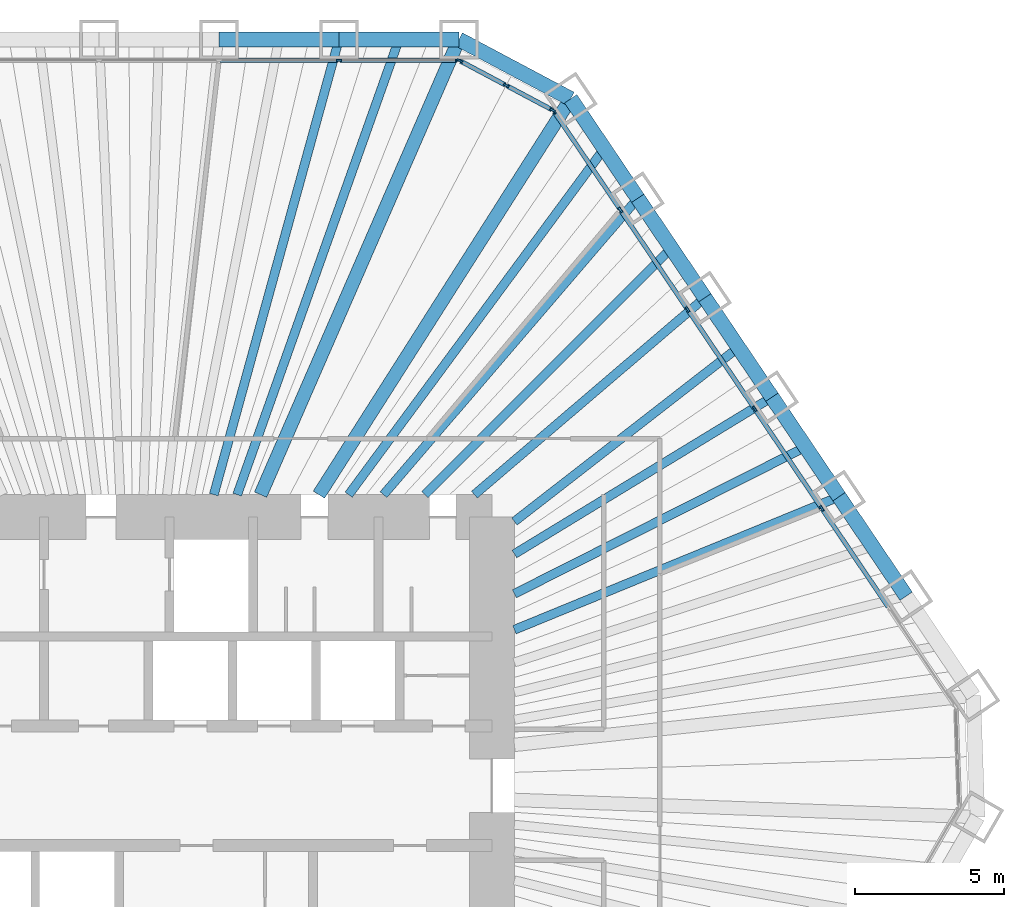
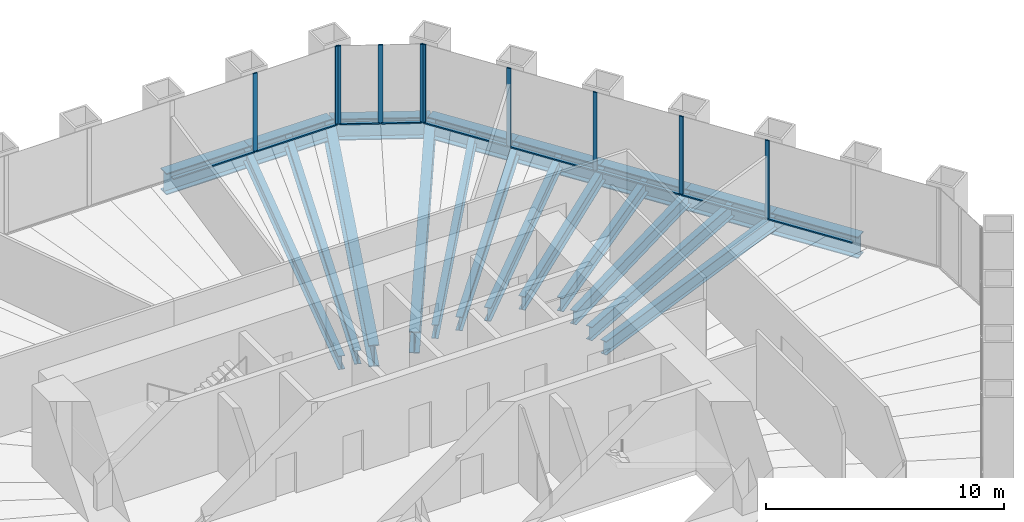
# One storey, part 7 of 13: 20 beams, 19 members, 3 elements without a shape of their own.
"""IFC4 building model written with IfcOpenShell, lengths in metres."""

from ifc_helpers import new_model, si_unit, direction, frame, origin, origin_2d, place, context, subcontext, project, spatial, rectangle, i_section, extrude, material, material_profile, profile_set, type_object, element, aggregate, save


model = new_model("IFC4")

# Units and contexts
model_context = context("Model", 3, precision=1e-05, world=origin(), true_north=direction((0.0, 1.0)))
body_context = subcontext(model_context, "Body", "Model", "MODEL_VIEW")
ifc_project = project(units=[si_unit("LENGTHUNIT", "METRE"), si_unit("AREAUNIT", "SQUARE_METRE"), si_unit("VOLUMEUNIT", "CUBIC_METRE"), si_unit("PLANEANGLEUNIT", "RADIAN"), si_unit("MASSUNIT", "GRAM", prefix="KILO")], contexts=[model_context])

# Site, building, storey
site_placement = place(None, origin())
site = spatial("IfcSite", under=ifc_project, at=site_placement, CompositionType="ELEMENT")
building_placement = place(site_placement, origin())
building = spatial("IfcBuilding", under=site, at=building_placement, Name="Qingtian Harvest Tower", CompositionType="ELEMENT")
storey_placement = place(building_placement, frame((0.0, 0.0, 161.800048828125)))
storey = spatial("IfcBuildingStorey", under=building, at=storey_placement, Name="L34", CompositionType="ELEMENT", Elevation=161.800048828125)

# Beams
ifc_material_1 = material(Name="Steel SM570MC", Category="steel")
ifc_material_profile_1 = material_profile(ifc_material_1, i_section(OverallWidth=0.449951171875, OverallDepth=1.10009765625, WebThickness=0.02197265625, FlangeThickness=0.044921875, at=origin_2d()), Name="H1100x450x22x45")
ifc_profile_set_1 = profile_set([ifc_material_profile_1], Name="Steel SM570MC")
beam_type_1 = type_object("IfcBeamType", Name="Corner floor beam FB8 H1100x450x22x45", PredefinedType="BEAM", material=ifc_profile_set_1)
beam_1_placement = place(storey_placement, frame((10.892822265625, 25.0, -0.719970703125), z_axis=(-0.399451016538, -0.916754539333, 0.0), x_axis=(0.916754539333, -0.399451016538, 0.0)))
element("IfcBeam", 1, at=beam_1_placement, inside=storey, type_object=beam_type_1, Name="Floor beam FB8 N6", PredefinedType="BEAM", context=body_context, shape_type="SweptSolid", body=[
    extrude(i_section(OverallWidth=0.449951171875, OverallDepth=1.10009765625, WebThickness=0.02197265625, FlangeThickness=0.044921875, at=origin_2d()), origin(), (0.0, 0.0, 1.0), 16.634765625),
])
beam_2_placement = place(storey_placement, frame((14.634765625, 23.01025390625, -0.719970703125), z_axis=(-0.536660352939, -0.843798355997, 0.0), x_axis=(0.843798355997, -0.536660352939, 0.0)))
element("IfcBeam", 2, at=beam_2_placement, inside=storey, type_object=beam_type_1, Name="Floor beam FB8 NE0", PredefinedType="BEAM", context=body_context, shape_type="SweptSolid", body=[
    extrude(i_section(OverallWidth=0.449951171875, OverallDepth=1.10009765625, WebThickness=0.02197265625, FlangeThickness=0.044921875, at=origin_2d()), origin(), (0.0, 0.0, 1.0), 15.71484375),
])
ifc_material_2 = material(Name="Steel SN490B", Category="steel")
ifc_material_profile_2 = material_profile(ifc_material_2, i_section(OverallWidth=0.300048828125, OverallDepth=0.699951171875, WebThickness=0.012939453125, FlangeThickness=0.02392578125, at=origin_2d()), Name="H700x300x13x24")
ifc_profile_set_2 = profile_set([ifc_material_profile_2], Name="Steel SN490B")
beam_type_2 = type_object("IfcBeamType", Name="Floor beam FB2 H700x300x13x24", PredefinedType="BEAM", material=ifc_profile_set_2)
beam_3_placement = place(storey_placement, frame((6.873779296875, 25.0, -0.52001953125), z_axis=(-0.265119170108, -0.964215653078, 0.0), x_axis=(0.964215653078, -0.265119170108, 0.0)))
element("IfcBeam", 3, at=beam_3_placement, inside=storey, type_object=beam_type_2, Name="Floor beam FB2 N5", PredefinedType="BEAM", context=body_context, shape_type="SweptSolid", body=[
    extrude(i_section(OverallWidth=0.300048828125, OverallDepth=0.699951171875, WebThickness=0.012939453125, FlangeThickness=0.02392578125, at=origin_2d()), origin(), (0.0, 0.0, 1.0), 15.81591796875),
])
beam_4_placement = place(storey_placement, frame((16.88232421875, 19.67822265625, -0.52001953125), z_axis=(-0.651140196702, -0.758957471957, 0.0), x_axis=(0.758957471957, -0.651140196702, 0.0)))
element("IfcBeam", 4, at=beam_4_placement, inside=storey, type_object=beam_type_2, Name="Floor beam FB2 NE1", PredefinedType="BEAM", context=body_context, shape_type="SweptSolid", body=[
    extrude(i_section(OverallWidth=0.300048828125, OverallDepth=0.699951171875, WebThickness=0.012939453125, FlangeThickness=0.02392578125, at=origin_2d()), origin(), (0.0, 0.0, 1.0), 13.081298828125),
])
beam_5_placement = place(storey_placement, frame((19.129638671875, 16.346435546875, -0.52001953125), z_axis=(-0.760241810635, -0.649640199928, 0.0), x_axis=(0.649640199928, -0.760241810635, 0.0)))
element("IfcBeam", 5, at=beam_5_placement, inside=storey, type_object=beam_type_2, Name="Floor beam FB2 NE2", PredefinedType="BEAM", context=body_context, shape_type="SweptSolid", body=[
    extrude(i_section(OverallWidth=0.300048828125, OverallDepth=0.699951171875, WebThickness=0.012939453125, FlangeThickness=0.02392578125, at=origin_2d()), origin(), (0.0, 0.0, 1.0), 10.154052734375),
])
beam_6_placement = place(storey_placement, frame((21.377197265625, 13.014404296875, -0.52001953125), z_axis=(-0.854160745245, -0.520009058846, 0.0), x_axis=(0.520009058846, -0.854160745245, 0.0)))
element("IfcBeam", 6, at=beam_6_placement, inside=storey, type_object=beam_type_2, Name="Floor beam FB2 NE3", PredefinedType="BEAM", context=body_context, shape_type="SweptSolid", body=[
    extrude(i_section(OverallWidth=0.300048828125, OverallDepth=0.699951171875, WebThickness=0.012939453125, FlangeThickness=0.02392578125, at=origin_2d()), origin(), (0.0, 0.0, 1.0), 10.10009765625),
])
beam_7_placement = place(storey_placement, frame((23.62451171875, 9.682373046875, -0.52001953125), z_axis=(-0.925304541163, -0.379224875375, 0.0), x_axis=(0.379224875375, -0.925304541163, 0.0)))
element("IfcBeam", 7, at=beam_7_placement, inside=storey, type_object=beam_type_2, Name="Floor beam FB2 NE4", PredefinedType="BEAM", context=body_context, shape_type="SweptSolid", body=[
    extrude(i_section(OverallWidth=0.300048828125, OverallDepth=0.699951171875, WebThickness=0.012939453125, FlangeThickness=0.02392578125, at=origin_2d()), origin(), (0.0, 0.0, 1.0), 11.75244140625),
])
ifc_material_3 = material(Name="Steel SN490B", Category="steel")
ifc_material_profile_3 = material_profile(ifc_material_3, i_section(OverallWidth=0.300048828125, OverallDepth=0.699951171875, WebThickness=0.012939453125, FlangeThickness=0.02392578125, at=origin_2d()), Name="H700x300x13x24")
ifc_profile_set_3 = profile_set([ifc_material_profile_3], Name="Steel SN490B")
beam_type_3 = type_object("IfcBeamType", Name="Floor joist J2 H700x300x13x24", PredefinedType="JOIST", material=ifc_profile_set_3)
beam_8_placement = place(storey_placement, frame((8.88330078125, 25.0, -0.52001953125), z_axis=(-0.334829909573, -0.94227858495, 0.0), x_axis=(0.94227858495, -0.334829909573, 0.0)))
element("IfcBeam", 8, at=beam_8_placement, inside=storey, type_object=beam_type_3, Name="Floor joist J2 N5", PredefinedType="JOIST", context=body_context, shape_type="SweptSolid", body=[
    extrude(i_section(OverallWidth=0.300048828125, OverallDepth=0.699951171875, WebThickness=0.012939453125, FlangeThickness=0.02392578125, at=origin_2d()), origin(), (0.0, 0.0, 1.0), 16.18408203125),
])
beam_9_placement = place(storey_placement, frame((15.758544921875, 21.34423828125, -0.52001953125), z_axis=(-0.593960386058, -0.804494288229, 0.0), x_axis=(0.804494288229, -0.593960386058, 0.0)))
element("IfcBeam", 9, at=beam_9_placement, inside=storey, type_object=beam_type_3, Name="Floor joist J2 NE0", PredefinedType="JOIST", context=body_context, shape_type="SweptSolid", body=[
    extrude(i_section(OverallWidth=0.300048828125, OverallDepth=0.699951171875, WebThickness=0.012939453125, FlangeThickness=0.02392578125, at=origin_2d()), origin(), (0.0, 0.0, 1.0), 14.411865234375),
])
beam_10_placement = place(storey_placement, frame((18.005859375, 18.012451171875, -0.52001953125), z_axis=(-0.706970932755, -0.707242603524, 0.0), x_axis=(0.707242603524, -0.706970932755, 0.0)))
element("IfcBeam", 10, at=beam_10_placement, inside=storey, type_object=beam_type_3, Name="Floor joist J2 NE1", PredefinedType="JOIST", context=body_context, shape_type="SweptSolid", body=[
    extrude(i_section(OverallWidth=0.300048828125, OverallDepth=0.699951171875, WebThickness=0.012939453125, FlangeThickness=0.02392578125, at=origin_2d()), origin(), (0.0, 0.0, 1.0), 11.6826171875),
])
beam_11_placement = place(storey_placement, frame((20.25341796875, 14.680419921875, -0.52001953125), z_axis=(-0.789641272199, -0.61356879096, 0.0), x_axis=(0.61356879096, -0.789641272199, 0.0)))
element("IfcBeam", 11, at=beam_11_placement, inside=storey, type_object=beam_type_3, Name="Floor joist J2 NE2", PredefinedType="JOIST", context=body_context, shape_type="SweptSolid", body=[
    extrude(i_section(OverallWidth=0.300048828125, OverallDepth=0.699951171875, WebThickness=0.012939453125, FlangeThickness=0.02392578125, at=origin_2d()), origin(), (0.0, 0.0, 1.0), 9.502197265625),
])
beam_12_placement = place(storey_placement, frame((22.500732421875, 11.348388671875, -0.52001953125), z_axis=(-0.892861323685, -0.450331718478, 0.0), x_axis=(0.450331718478, -0.892861323685, 0.0)))
element("IfcBeam", 12, at=beam_12_placement, inside=storey, type_object=beam_type_3, Name="Floor joist J2 NE3", PredefinedType="JOIST", context=body_context, shape_type="SweptSolid", body=[
    extrude(i_section(OverallWidth=0.300048828125, OverallDepth=0.699951171875, WebThickness=0.012939453125, FlangeThickness=0.02392578125, at=origin_2d()), origin(), (0.0, 0.0, 1.0), 10.920654296875),
])

# Curtain wall, members
ifc_material_4 = material(Name="Bronze-anodised aluminium curtain wall", Category="aluminium")
curtain_wall_type = type_object("IfcCurtainWallType", Name="Curtain wall CW4 office", PredefinedType="USERDEFINED", material=ifc_material_4)
curtain_wall_1_placement = place(storey_placement, origin())
curtain_wall_1 = element("IfcCurtainWall", 13, at=curtain_wall_1_placement, inside=storey, type_object=curtain_wall_type, Name="Curtain wall CW4 L34 N0-5", ObjectType="RECESSED CURTAIN WALL", PredefinedType="USERDEFINED")
ifc_material_5 = material(Name="Bronze-anodised aluminium mullion", Category="aluminium")
ifc_material_profile_4 = material_profile(ifc_material_5, rectangle(XDim=0.06494140625, YDim=0.199951171875, at=origin_2d()), Name="AL 65x200")
ifc_profile_set_4 = profile_set([ifc_material_profile_4], Name="Bronze-anodised aluminium mullion")
member_type_1 = type_object("IfcMemberType", Name="Mullion CWM 65x200", PredefinedType="MULLION", material=ifc_profile_set_4)
member_1_placement = place(storey_placement, frame((6.873779296875, 24.300048828125, 0.0), z_axis=(0.0, 0.0, 1.0), x_axis=(0.0, 1.0, 0.0)))
member_1 = element("IfcMember", 14, at=member_1_placement, type_object=member_type_1, Name="CW4 mullion 6", PredefinedType="MULLION", context=body_context, shape_type="SweptSolid", body=[
    extrude(rectangle(XDim=0.06494140625, YDim=0.199951171875, at=origin_2d()), origin(), (0.0, 0.0, 1.0), 4.030029296875),
])
member_2_placement = place(storey_placement, frame((10.8603515625, 24.300048828125, 0.0), z_axis=(0.0, 0.0, 1.0), x_axis=(0.0, 1.0, 0.0)))
member_2 = element("IfcMember", 15, at=member_2_placement, type_object=member_type_1, Name="CW4 mullion 7", PredefinedType="MULLION", context=body_context, shape_type="SweptSolid", body=[
    extrude(rectangle(XDim=0.06494140625, YDim=0.199951171875, at=origin_2d()), origin(), (0.0, 0.0, 1.0), 4.030029296875),
])

curtain_wall_2_placement = place(storey_placement, origin())
curtain_wall_2 = element("IfcCurtainWall", 16, at=curtain_wall_2_placement, inside=storey, type_object=curtain_wall_type, Name="Curtain wall CW4 L34 NC", ObjectType="RECESSED CURTAIN WALL", PredefinedType="USERDEFINED")
member_3_placement = place(storey_placement, frame((10.92138671875, 24.28466796875, 0.0), z_axis=(0.0, 0.0, 1.0), x_axis=(0.469471562786, 0.882947592859, 0.0)))
member_3 = element("IfcMember", 17, at=member_3_placement, type_object=member_type_1, Name="CW4 mullion 1", PredefinedType="MULLION", context=body_context, shape_type="SweptSolid", body=[
    extrude(rectangle(XDim=0.06494140625, YDim=0.199951171875, at=origin_2d()), origin(), (0.0, 0.0, 1.0), 4.030029296875),
])
member_4_placement = place(storey_placement, frame((12.4736328125, 23.45947265625, 0.0), z_axis=(0.0, 0.0, 1.0), x_axis=(0.469471562786, 0.882947592859, 0.0)))
member_4 = element("IfcMember", 18, at=member_4_placement, type_object=member_type_1, Name="CW4 mullion 2", PredefinedType="MULLION", context=body_context, shape_type="SweptSolid", body=[
    extrude(rectangle(XDim=0.06494140625, YDim=0.199951171875, at=origin_2d()), origin(), (0.0, 0.0, 1.0), 4.030029296875),
])
member_5_placement = place(storey_placement, frame((14.02587890625, 22.634033203125, 0.0), z_axis=(0.0, 0.0, 1.0), x_axis=(0.469471562786, 0.882947592859, 0.0)))
member_5 = element("IfcMember", 19, at=member_5_placement, type_object=member_type_1, Name="CW4 mullion 3", PredefinedType="MULLION", context=body_context, shape_type="SweptSolid", body=[
    extrude(rectangle(XDim=0.06494140625, YDim=0.199951171875, at=origin_2d()), origin(), (0.0, 0.0, 1.0), 4.030029296875),
])

curtain_wall_3_placement = place(storey_placement, origin())
curtain_wall_3 = element("IfcCurtainWall", 20, at=curtain_wall_3_placement, inside=storey, type_object=curtain_wall_type, Name="Curtain wall CW4 L34 NE0-5", ObjectType="RECESSED CURTAIN WALL", PredefinedType="USERDEFINED")
member_6_placement = place(storey_placement, frame((14.07275390625, 22.592041015625, 0.0), z_axis=(0.0, 0.0, 1.0), x_axis=(0.829037572555, 0.559192903471, 0.0)))
member_6 = element("IfcMember", 21, at=member_6_placement, type_object=member_type_1, Name="CW4 mullion 1", PredefinedType="MULLION", context=body_context, shape_type="SweptSolid", body=[
    extrude(rectangle(XDim=0.06494140625, YDim=0.199951171875, at=origin_2d()), origin(), (0.0, 0.0, 1.0), 4.030029296875),
])
member_7_placement = place(storey_placement, frame((16.302001953125, 19.286865234375, 0.0), z_axis=(0.0, 0.0, 1.0), x_axis=(0.829037572555, 0.559192903471, 0.0)))
member_7 = element("IfcMember", 22, at=member_7_placement, type_object=member_type_1, Name="CW4 mullion 2", PredefinedType="MULLION", context=body_context, shape_type="SweptSolid", body=[
    extrude(rectangle(XDim=0.06494140625, YDim=0.199951171875, at=origin_2d()), origin(), (0.0, 0.0, 1.0), 4.030029296875),
])
member_8_placement = place(storey_placement, frame((18.54931640625, 15.954833984375, 0.0), z_axis=(0.0, 0.0, 1.0), x_axis=(0.829037572555, 0.559192903471, 0.0)))
member_8 = element("IfcMember", 23, at=member_8_placement, type_object=member_type_1, Name="CW4 mullion 3", PredefinedType="MULLION", context=body_context, shape_type="SweptSolid", body=[
    extrude(rectangle(XDim=0.06494140625, YDim=0.199951171875, at=origin_2d()), origin(), (0.0, 0.0, 1.0), 4.030029296875),
])
member_9_placement = place(storey_placement, frame((20.796875, 12.623046875, 0.0), z_axis=(0.0, 0.0, 1.0), x_axis=(0.829037572555, 0.559192903471, 0.0)))
member_9 = element("IfcMember", 24, at=member_9_placement, type_object=member_type_1, Name="CW4 mullion 4", PredefinedType="MULLION", context=body_context, shape_type="SweptSolid", body=[
    extrude(rectangle(XDim=0.06494140625, YDim=0.199951171875, at=origin_2d()), origin(), (0.0, 0.0, 1.0), 4.030029296875),
])
member_10_placement = place(storey_placement, frame((23.044189453125, 9.291015625, 0.0), z_axis=(0.0, 0.0, 1.0), x_axis=(0.829037572555, 0.559192903471, 0.0)))
member_10 = element("IfcMember", 25, at=member_10_placement, type_object=member_type_1, Name="CW4 mullion 5", PredefinedType="MULLION", context=body_context, shape_type="SweptSolid", body=[
    extrude(rectangle(XDim=0.06494140625, YDim=0.199951171875, at=origin_2d()), origin(), (0.0, 0.0, 1.0), 4.030029296875),
])

# Beams
ifc_material_6 = material(Name="Steel SM570MC", Category="steel")
ifc_material_profile_5 = material_profile(ifc_material_6, i_section(OverallWidth=0.5, OverallDepth=1.10009765625, WebThickness=0.02490234375, FlangeThickness=0.050048828125, at=origin_2d()), Name="H1100x500x25x50")
ifc_profile_set_5 = profile_set([ifc_material_profile_5], Name="Steel SM570MC")
beam_type_4 = type_object("IfcBeamType", Name="Spandrel beam SB2 H1100x500x25x50", PredefinedType="SPANDREL", material=ifc_profile_set_5)
beam_13_placement = place(storey_placement, frame((2.8544921875, 25.0, -0.550048828125), z_axis=(1.0, 0.0, 0.0), x_axis=(0.0, 1.0, 0.0)))
element("IfcBeam", 26, at=beam_13_placement, inside=storey, type_object=beam_type_4, Name="Spandrel SB2 N4", PredefinedType="SPANDREL", context=body_context, shape_type="SweptSolid", body=[
    extrude(i_section(OverallWidth=0.5, OverallDepth=1.10009765625, WebThickness=0.02490234375, FlangeThickness=0.050048828125, at=origin_2d()), origin(), (0.0, 0.0, 1.0), 4.019287109375),
])
beam_14_placement = place(storey_placement, frame((6.873779296875, 25.0, -0.550048828125), z_axis=(1.0, 0.0, 0.0), x_axis=(0.0, 1.0, 0.0)))
element("IfcBeam", 27, at=beam_14_placement, inside=storey, type_object=beam_type_4, Name="Spandrel SB2 N5", PredefinedType="SPANDREL", context=body_context, shape_type="SweptSolid", body=[
    extrude(i_section(OverallWidth=0.5, OverallDepth=1.10009765625, WebThickness=0.02490234375, FlangeThickness=0.050048828125, at=origin_2d()), origin(), (0.0, 0.0, 1.0), 4.01904296875),
])
beam_15_placement = place(storey_placement, frame((10.892822265625, 25.0, -0.550048828125), z_axis=(0.882935902835, -0.469493547863, 0.0), x_axis=(0.469493547863, 0.882935902835, 0.0)))
element("IfcBeam", 28, at=beam_15_placement, inside=storey, type_object=beam_type_4, Name="Spandrel SB2 NC", PredefinedType="SPANDREL", context=body_context, shape_type="SweptSolid", body=[
    extrude(i_section(OverallWidth=0.5, OverallDepth=1.10009765625, WebThickness=0.02490234375, FlangeThickness=0.050048828125, at=origin_2d()), origin(), (0.0, 0.0, 1.0), 4.238037109375),
])
beam_16_placement = place(storey_placement, frame((14.634765625, 23.01025390625, -0.550048828125), z_axis=(0.559205752254, -0.829028905796, 0.0), x_axis=(0.829028905796, 0.559205752254, 0.0)))
element("IfcBeam", 29, at=beam_16_placement, inside=storey, type_object=beam_type_4, Name="Spandrel SB2 NE0", PredefinedType="SPANDREL", context=body_context, shape_type="SweptSolid", body=[
    extrude(i_section(OverallWidth=0.5, OverallDepth=1.10009765625, WebThickness=0.02490234375, FlangeThickness=0.050048828125, at=origin_2d()), origin(), (0.0, 0.0, 1.0), 4.019287109375),
])
beam_17_placement = place(storey_placement, frame((16.88232421875, 19.67822265625, -0.550048828125), z_axis=(0.55919216322, -0.82903807186, 0.0), x_axis=(0.82903807186, 0.55919216322, 0.0)))
element("IfcBeam", 30, at=beam_17_placement, inside=storey, type_object=beam_type_4, Name="Spandrel SB2 NE1", PredefinedType="SPANDREL", context=body_context, shape_type="SweptSolid", body=[
    extrude(i_section(OverallWidth=0.5, OverallDepth=1.10009765625, WebThickness=0.02490234375, FlangeThickness=0.050048828125, at=origin_2d()), origin(), (0.0, 0.0, 1.0), 4.018798828125),
])
beam_18_placement = place(storey_placement, frame((19.129638671875, 16.346435546875, -0.550048828125), z_axis=(0.559205752254, -0.829028905796, 0.0), x_axis=(0.829028905796, 0.559205752254, 0.0)))
element("IfcBeam", 31, at=beam_18_placement, inside=storey, type_object=beam_type_4, Name="Spandrel SB2 NE2", PredefinedType="SPANDREL", context=body_context, shape_type="SweptSolid", body=[
    extrude(i_section(OverallWidth=0.5, OverallDepth=1.10009765625, WebThickness=0.02490234375, FlangeThickness=0.050048828125, at=origin_2d()), origin(), (0.0, 0.0, 1.0), 4.019287109375),
])
for number, where, z_axis, x_axis, name in (
    (32, (21.377197265625, 13.014404296875, -0.550048828125), (0.55916400171, -0.829057066306, 0.0), (0.829057066306, 0.55916400171, 0.0), "Spandrel SB2 NE3"),
    (33, (23.62451171875, 9.682373046875, -0.550048828125), (0.559233913953, -0.829009909159, 0.0), (0.829009909159, 0.559233913953, 0.0), "Spandrel SB2 NE4"),
):
    element("IfcBeam", number, at=place(storey_placement, frame(where, z_axis=z_axis, x_axis=x_axis)), inside=storey, type_object=beam_type_4, Name=name, PredefinedType="SPANDREL", context=body_context, shape_type="SweptSolid", body=[
        extrude(i_section(OverallWidth=0.5, OverallDepth=1.10009765625, WebThickness=0.02490234375, FlangeThickness=0.050048828125, at=origin_2d()), origin(), (0.0, 0.0, 1.0), 4.01904296875),
    ])

# Member
ifc_material_7 = material(Name="Bronze-anodised aluminium transom", Category="aluminium")
ifc_material_profile_6 = material_profile(ifc_material_7, rectangle(XDim=0.14990234375, YDim=0.06494140625, at=origin_2d()), Name="AL 65x150")
ifc_profile_set_6 = profile_set([ifc_material_profile_6], Name="Bronze-anodised aluminium transom")
member_type_2 = type_object("IfcMemberType", Name="Transom CWT 65x150", PredefinedType="USERDEFINED", material=ifc_profile_set_6)
member_11_placement = place(storey_placement, frame((2.886962890625, 24.300048828125, 0.032470703125), z_axis=(1.0, 0.0, 0.0), x_axis=(0.0, 1.0, 0.0)))
member_11 = element("IfcMember", 34, at=member_11_placement, type_object=member_type_2, Name="CW4 transom 5.1", ObjectType="TRANSOM", PredefinedType="USERDEFINED", context=body_context, shape_type="SweptSolid", body=[
    extrude(rectangle(XDim=0.14990234375, YDim=0.06494140625, at=origin_2d()), origin(), (0.0, 0.0, 1.0), 3.9541015625),
])

member_12_placement = place(storey_placement, frame((6.90625, 24.300048828125, 0.032470703125), z_axis=(1.0, 0.0, 0.0), x_axis=(0.0, 1.0, 0.0)))
member_12 = element("IfcMember", 35, at=member_12_placement, type_object=member_type_2, Name="CW4 transom 6.1", ObjectType="TRANSOM", PredefinedType="USERDEFINED", context=body_context, shape_type="SweptSolid", body=[
    extrude(rectangle(XDim=0.14990234375, YDim=0.06494140625, at=origin_2d()), origin(), (0.0, 0.0, 1.0), 3.92138671875),
])

aggregate(curtain_wall_1, [member_1, member_2, member_11, member_12])

member_13_placement = place(storey_placement, frame((10.9501953125, 24.26953125, 0.032470703125), z_axis=(0.882895287784, -0.469569921108, 0.0), x_axis=(0.469569921108, 0.882895287784, 0.0)))
member_13 = element("IfcMember", 36, at=member_13_placement, type_object=member_type_2, Name="CW4 transom 1.1", ObjectType="TRANSOM", PredefinedType="USERDEFINED", context=body_context, shape_type="SweptSolid", body=[
    extrude(rectangle(XDim=0.14990234375, YDim=0.06494140625, at=origin_2d()), origin(), (0.0, 0.0, 1.0), 1.69287109375),
])

member_14_placement = place(storey_placement, frame((12.502197265625, 23.444091796875, 0.032470703125), z_axis=(0.882986854304, -0.469397715297, 0.0), x_axis=(0.469397715297, 0.882986854304, 0.0)))
member_14 = element("IfcMember", 37, at=member_14_placement, type_object=member_type_2, Name="CW4 transom 2.1", ObjectType="TRANSOM", PredefinedType="USERDEFINED", context=body_context, shape_type="SweptSolid", body=[
    extrude(rectangle(XDim=0.14990234375, YDim=0.06494140625, at=origin_2d()), origin(), (0.0, 0.0, 1.0), 1.69287109375),
])

aggregate(curtain_wall_2, [member_3, member_4, member_5, member_13, member_14])

member_15_placement = place(storey_placement, frame((14.0908203125, 22.56494140625, 0.032470703125), z_axis=(0.55920336949, -0.82903051304, 0.0), x_axis=(0.82903051304, 0.55920336949, 0.0)))
member_15 = element("IfcMember", 38, at=member_15_placement, type_object=member_type_2, Name="CW4 transom 1.1", ObjectType="TRANSOM", PredefinedType="USERDEFINED", context=body_context, shape_type="SweptSolid", body=[
    extrude(rectangle(XDim=0.14990234375, YDim=0.06494140625, at=origin_2d()), origin(), (0.0, 0.0, 1.0), 3.92138671875),
])

member_16_placement = place(storey_placement, frame((16.320068359375, 19.260009765625, 0.032470703125), z_axis=(0.55920878069, -0.829026863014, 0.0), x_axis=(0.829026863014, 0.55920878069, 0.0)))
member_16 = element("IfcMember", 39, at=member_16_placement, type_object=member_type_2, Name="CW4 transom 2.1", ObjectType="TRANSOM", PredefinedType="USERDEFINED", context=body_context, shape_type="SweptSolid", body=[
    extrude(rectangle(XDim=0.14990234375, YDim=0.06494140625, at=origin_2d()), origin(), (0.0, 0.0, 1.0), 3.9541015625),
])

member_17_placement = place(storey_placement, frame((18.567626953125, 15.927978515625, 0.032470703125), z_axis=(0.559166343236, -0.82905548704, 0.0), x_axis=(0.82905548704, 0.559166343236, 0.0)))
member_17 = element("IfcMember", 40, at=member_17_placement, type_object=member_type_2, Name="CW4 transom 3.1", ObjectType="TRANSOM", PredefinedType="USERDEFINED", context=body_context, shape_type="SweptSolid", body=[
    extrude(rectangle(XDim=0.14990234375, YDim=0.06494140625, at=origin_2d()), origin(), (0.0, 0.0, 1.0), 3.9541015625),
])

member_18_placement = place(storey_placement, frame((20.81494140625, 12.595947265625, 0.032470703125), z_axis=(0.55920878069, -0.829026863014, 0.0), x_axis=(0.829026863014, 0.55920878069, 0.0)))
member_18 = element("IfcMember", 41, at=member_18_placement, type_object=member_type_2, Name="CW4 transom 4.1", ObjectType="TRANSOM", PredefinedType="USERDEFINED", context=body_context, shape_type="SweptSolid", body=[
    extrude(rectangle(XDim=0.14990234375, YDim=0.06494140625, at=origin_2d()), origin(), (0.0, 0.0, 1.0), 3.9541015625),
])

member_19_placement = place(storey_placement, frame((23.0625, 9.26416015625, 0.032470703125), z_axis=(0.559166343236, -0.82905548704, 0.0), x_axis=(0.82905548704, 0.559166343236, 0.0)))
member_19 = element("IfcMember", 42, at=member_19_placement, type_object=member_type_2, Name="CW4 transom 5.1", ObjectType="TRANSOM", PredefinedType="USERDEFINED", context=body_context, shape_type="SweptSolid", body=[
    extrude(rectangle(XDim=0.14990234375, YDim=0.06494140625, at=origin_2d()), origin(), (0.0, 0.0, 1.0), 3.9541015625),
])

aggregate(curtain_wall_3, [member_6, member_7, member_8, member_9, member_10, member_15, member_16, member_17, member_18, member_19])

save(model, "model.ifc")
